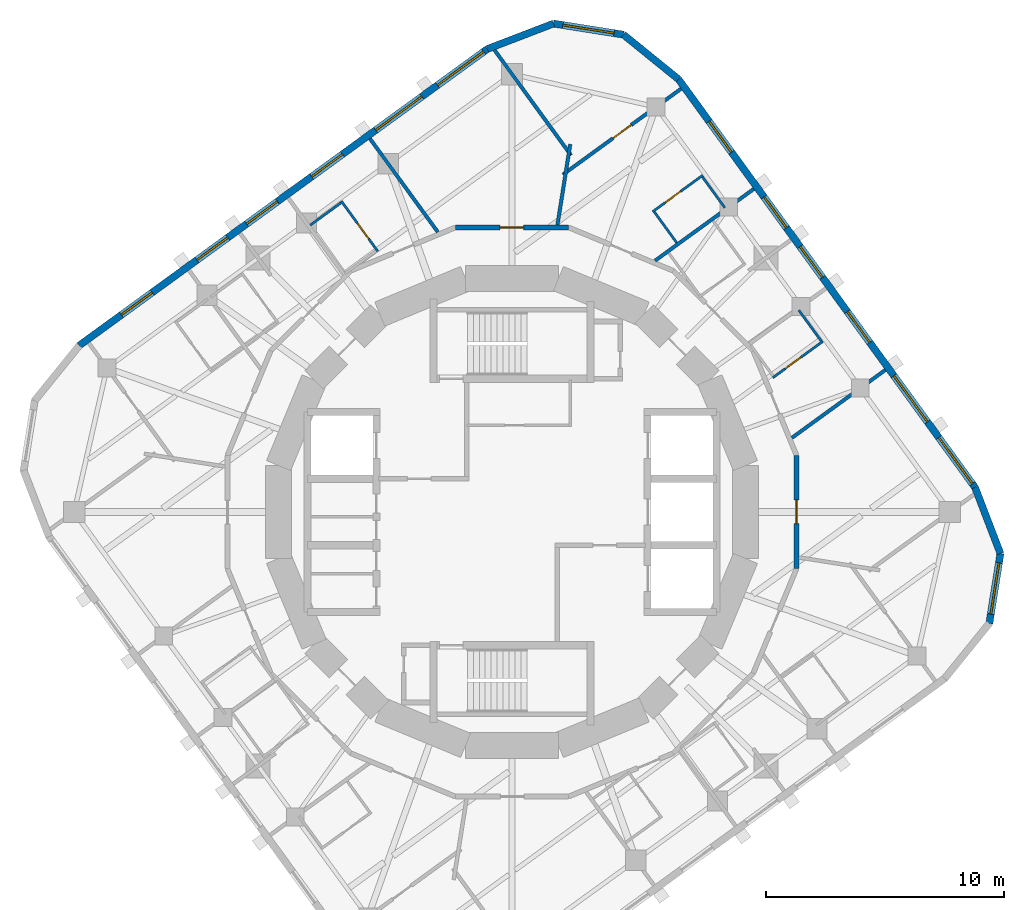
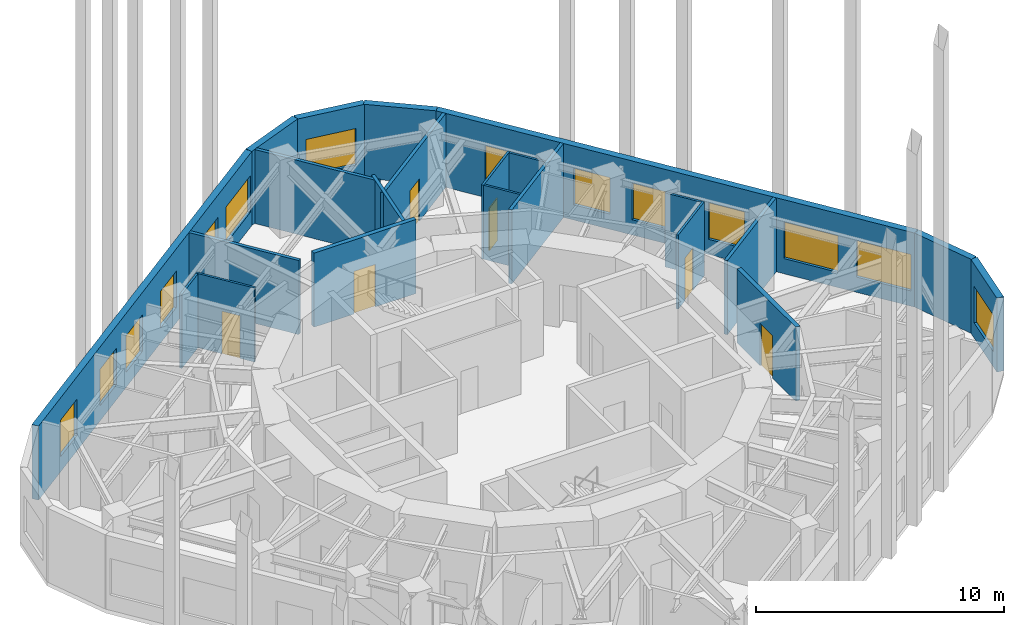
# One storey, part 7 of 9: 22 walls, 14 windows, 6 doors, 20 openings.
"""IFC4 building model written with IfcOpenShell, lengths in metres."""

from ifc_helpers import new_model, si_unit, direction, frame, frame_2d, origin, place, context, subcontext, project, spatial, rectangle, extrude, material, layer, layer_set, type_object, element, fill, save


model = new_model("IFC4")

# Units and contexts
model_context = context("Model", 3, precision=1e-05, world=origin(), true_north=direction((0.0, 1.0)))
body_context = subcontext(model_context, "Body", "Model", "MODEL_VIEW")
ifc_project = project(units=[si_unit("LENGTHUNIT", "METRE"), si_unit("AREAUNIT", "SQUARE_METRE"), si_unit("VOLUMEUNIT", "CUBIC_METRE"), si_unit("PLANEANGLEUNIT", "RADIAN"), si_unit("MASSUNIT", "GRAM", prefix="KILO")], contexts=[model_context])

# Site, building, storey
site_placement = place(None, origin())
site = spatial("IfcSite", under=ifc_project, at=site_placement, CompositionType="ELEMENT")
building_placement = place(site_placement, origin())
building = spatial("IfcBuilding", under=site, at=building_placement, Name="Nakasero Lantern House", CompositionType="ELEMENT")
storey_placement = place(building_placement, frame((0.0, 0.0, 263.75)))
storey = spatial("IfcBuildingStorey", under=building, at=storey_placement, Name="L64", CompositionType="ELEMENT", Elevation=263.75)

# Wall, opening, door
ifc_material_1 = material(Name="Blockwork", Category="masonry")
ifc_layer_1 = layer(ifc_material_1, 0.199951171875)
ifc_layer_set_1 = layer_set([ifc_layer_1], Name="Corridor wall 200")
wall_type_1 = type_object("IfcWallType", Name="Corridor wall 200", PredefinedType="PARTITIONING", material=ifc_layer_set_1)
wall_1_placement = place(storey_placement, frame((11.957763671875, 2.378662109375, 0.0), z_axis=(0.0, 0.0, 1.0), x_axis=(0.0, -1.0, 0.0)))
wall_1 = element("IfcWall", 1, at=wall_1_placement, inside=storey, type_object=wall_type_1, Name="Corridor wall L64 RC00a", PredefinedType="PARTITIONING", context=body_context, shape_type="SweptSolid", body=[
    extrude(rectangle(XDim=4.75732421875, YDim=0.199951171875, at=frame_2d((2.378662109375, 0.0))), origin(), (0.0, 0.0, 1.0), 3.64990234375),
])
opening_1_placement = place(wall_1_placement, frame((1.8701171875, 0.0, 0.0)))
opening_1 = element("IfcOpeningElement", 2, at=opening_1_placement, cuts=wall_1, Name="Opening D03", PredefinedType="OPENING", context=body_context, shape_type="SweptSolid", body=[
    extrude(rectangle(XDim=1.0, YDim=2.10009765625, at=frame_2d((0.5, 1.050048828125))), frame((0.0, 0.119873046875, 0.0), z_axis=(0.0, -1.0, 0.0), x_axis=(1.0, 0.0, 0.0)), (0.0, 0.0, 1.0), 0.239990234375),
])
ifc_material_2 = material(Name="Timber C24", Category="wood")
door_type_1 = type_object("IfcDoorType", Name="Lounge door FD30S 1000", OperationType="SINGLE_SWING_LEFT", PredefinedType="DOOR", material=ifc_material_2)
door_1_placement = place(opening_1_placement, origin())
door_1 = element("IfcDoor", 3, at=door_1_placement, inside=storey, type_object=door_type_1, Name="Door L64 DK0", OperationType="SINGLE_SWING_LEFT", OverallHeight=2.10009765625, OverallWidth=1.0, PredefinedType="DOOR", context=body_context, shape_type="SweptSolid", body=[
    extrude(rectangle(XDim=1.0, YDim=2.10009765625, at=frame_2d((0.5, 1.050048828125))), frame((0.0, 0.02490234375, 0.0), z_axis=(0.0, -1.0, 0.0), x_axis=(1.0, 0.0, 0.0)), (0.0, 0.0, 1.0), 0.050048828125),
])
fill(opening_1, door_1)

wall_2_placement = place(storey_placement, frame((-2.378662109375, 11.957763671875, 0.0), z_axis=(0.0, 0.0, 1.0), x_axis=(1.0, 0.0, 0.0)))
wall_2 = element("IfcWall", 4, at=wall_2_placement, inside=storey, type_object=wall_type_1, Name="Corridor wall L64 RC12a", PredefinedType="PARTITIONING", context=body_context, shape_type="SweptSolid", body=[
    extrude(rectangle(XDim=4.75732421875, YDim=0.199951171875, at=frame_2d((2.378662109375, 0.0))), origin(), (0.0, 0.0, 1.0), 3.64990234375),
])
opening_2_placement = place(wall_2_placement, frame((1.8701171875, 0.0, 0.0)))
opening_2 = element("IfcOpeningElement", 5, at=opening_2_placement, cuts=wall_2, Name="Opening D03", PredefinedType="OPENING", context=body_context, shape_type="SweptSolid", body=[
    extrude(rectangle(XDim=1.0, YDim=2.10009765625, at=frame_2d((0.5, 1.050048828125))), frame((0.0, 0.119873046875, 0.0), z_axis=(0.0, -1.0, 0.0), x_axis=(1.0, 0.0, 0.0)), (0.0, 0.0, 1.0), 0.239990234375),
])
door_2_placement = place(opening_2_placement, origin())
door_2 = element("IfcDoor", 6, at=door_2_placement, inside=storey, type_object=door_type_1, Name="Door L64 DK1", OperationType="SINGLE_SWING_LEFT", OverallHeight=2.10009765625, OverallWidth=1.0, PredefinedType="DOOR", context=body_context, shape_type="SweptSolid", body=[
    extrude(rectangle(XDim=1.0, YDim=2.10009765625, at=frame_2d((0.5, 1.050048828125))), frame((0.0, 0.02490234375, 0.0), z_axis=(0.0, -1.0, 0.0), x_axis=(1.0, 0.0, 0.0)), (0.0, 0.0, 1.0), 0.050048828125),
])
fill(opening_2, door_2)

ifc_material_3 = material(Name="Blockwork", Category="masonry")
ifc_layer_2 = layer(ifc_material_3, 0.10009765625)
ifc_layer_set_2 = layer_set([ifc_layer_2], Name="En-suite wall 100")
wall_type_2 = type_object("IfcWallType", Name="En-suite wall 100", PredefinedType="PARTITIONING", material=ifc_layer_set_2)
wall_3_placement = place(storey_placement, frame((10.960693359375, 5.643798828125, 0.0), z_axis=(0.0, 0.0, 1.0), x_axis=(0.80902431253, 0.587775179585, 0.0)))
wall_3 = element("IfcWall", 7, at=wall_3_placement, inside=storey, type_object=wall_type_2, Name="En-suite wall L64 ES0-03", PredefinedType="PARTITIONING", context=body_context, shape_type="SweptSolid", body=[
    extrude(rectangle(XDim=2.599853515625, YDim=0.10009765625, at=frame_2d((1.2998046875, 0.0))), origin(), (0.0, 0.0, 1.0), 3.64990234375),
])
opening_3_placement = place(wall_3_placement, frame((0.64990234375, 0.0, 0.0)))
opening_3 = element("IfcOpeningElement", 8, at=opening_3_placement, cuts=wall_3, Name="Opening D02", PredefinedType="OPENING", context=body_context, shape_type="SweptSolid", body=[
    extrude(rectangle(XDim=0.800048828125, YDim=2.10009765625, at=frame_2d((0.39990234375, 1.050048828125))), frame((0.0, 0.070068359375, 0.0), z_axis=(0.0, -1.0, 0.0), x_axis=(1.0, 0.0, 0.0)), (0.0, 0.0, 1.0), 0.14013671875),
])
ifc_material_4 = material(Name="Timber C24", Category="wood")
door_type_2 = type_object("IfcDoorType", Name="En-suite door 800", OperationType="SINGLE_SWING_RIGHT", PredefinedType="DOOR", material=ifc_material_4)
door_3_placement = place(opening_3_placement, origin())
door_3 = element("IfcDoor", 9, at=door_3_placement, inside=storey, type_object=door_type_2, Name="Door L64 DE0-03", OperationType="SINGLE_SWING_LEFT", OverallHeight=2.10009765625, OverallWidth=0.800048828125, PredefinedType="DOOR", context=body_context, shape_type="SweptSolid", body=[
    extrude(rectangle(XDim=0.800048828125, YDim=2.10009765625, at=frame_2d((0.39990234375, 1.050048828125))), frame((0.0, 0.02490234375, 0.0), z_axis=(0.0, -1.0, 0.0), x_axis=(1.0, 0.0, 0.0)), (0.0, 0.0, 1.0), 0.050048828125),
])
fill(opening_3, door_3)

# Wall
wall_4_placement = place(storey_placement, frame((12.994140625, 7.18310546875, 0.0), z_axis=(0.0, 0.0, 1.0), x_axis=(-0.587772420479, 0.809026317077, 0.0)))
element("IfcWall", 10, at=wall_4_placement, inside=storey, type_object=wall_type_2, Name="En-suite wall L64 EE0-03", PredefinedType="PARTITIONING", context=body_context, shape_type="SweptSolid", body=[
    extrude(rectangle(XDim=1.60009765625, YDim=0.10009765625, at=frame_2d((0.800048828125, 0.0))), origin(), (0.0, 0.0, 1.0), 3.64990234375),
])

# Wall, opening, door
wall_5_placement = place(storey_placement, frame((5.91162109375, 12.619384765625, 0.0), z_axis=(0.0, 0.0, 1.0), x_axis=(0.809056752413, 0.587730526155, 0.0)))
wall_5 = element("IfcWall", 11, at=wall_5_placement, inside=storey, type_object=wall_type_2, Name="En-suite wall L64 ES0-06", PredefinedType="PARTITIONING", context=body_context, shape_type="SweptSolid", body=[
    extrude(rectangle(XDim=2.599853515625, YDim=0.10009765625, at=frame_2d((1.2998046875, 0.0))), origin(), (0.0, 0.0, 1.0), 3.64990234375),
])
opening_4_placement = place(wall_5_placement, frame((0.64990234375, 0.0, 0.0)))
opening_4 = element("IfcOpeningElement", 12, at=opening_4_placement, cuts=wall_5, Name="Opening D02", PredefinedType="OPENING", context=body_context, shape_type="SweptSolid", body=[
    extrude(rectangle(XDim=0.800048828125, YDim=2.10009765625, at=frame_2d((0.39990234375, 1.050048828125))), frame((0.0, 0.070068359375, 0.0), z_axis=(0.0, -1.0, 0.0), x_axis=(1.0, 0.0, 0.0)), (0.0, 0.0, 1.0), 0.14013671875),
])
door_4_placement = place(opening_4_placement, origin())
door_4 = element("IfcDoor", 13, at=door_4_placement, inside=storey, type_object=door_type_2, Name="Door L64 DE0-06", OperationType="SINGLE_SWING_LEFT", OverallHeight=2.10009765625, OverallWidth=0.800048828125, PredefinedType="DOOR", context=body_context, shape_type="SweptSolid", body=[
    extrude(rectangle(XDim=0.800048828125, YDim=2.10009765625, at=frame_2d((0.39990234375, 1.050048828125))), frame((0.0, 0.02490234375, 0.0), z_axis=(0.0, -1.0, 0.0), x_axis=(1.0, 0.0, 0.0)), (0.0, 0.0, 1.0), 0.050048828125),
])
fill(opening_4, door_4)

# Walls
for number, where, z_axis, x_axis, name in (
    (14, (8.9443359375, 12.783203125, 0.0), (0.0, 0.0, 1.0), (-0.587772420479, 0.809026317077, 0.0), "En-suite wall L64 EE0-06"),
    (15, (6.921875, 11.313720703125, 0.0), (0.0, 0.0, 1.0), (-0.587772420479, 0.809026317077, 0.0), "En-suite wall L64 EI0-06"),
):
    element("IfcWall", number, at=place(storey_placement, frame(where, z_axis=z_axis, x_axis=x_axis)), inside=storey, type_object=wall_type_2, Name=name, PredefinedType="PARTITIONING", context=body_context, shape_type="SweptSolid", body=[
        extrude(rectangle(XDim=1.60009765625, YDim=0.10009765625, at=frame_2d((0.800048828125, 0.0))), origin(), (0.0, 0.0, 1.0), 3.64990234375),
    ])

# Wall, opening, door
wall_6_placement = place(storey_placement, frame((-5.643798828125, 10.960693359375, 0.0), z_axis=(0.0, 0.0, 1.0), x_axis=(-0.587775179585, 0.80902431253, 0.0)))
wall_6 = element("IfcWall", 16, at=wall_6_placement, inside=storey, type_object=wall_type_2, Name="En-suite wall L64 ES1-03", PredefinedType="PARTITIONING", context=body_context, shape_type="SweptSolid", body=[
    extrude(rectangle(XDim=2.599853515625, YDim=0.10009765625, at=frame_2d((1.2998046875, 0.0))), origin(), (0.0, 0.0, 1.0), 3.64990234375),
])
opening_5_placement = place(wall_6_placement, frame((0.64990234375, 0.0, 0.0)))
opening_5 = element("IfcOpeningElement", 17, at=opening_5_placement, cuts=wall_6, Name="Opening D02", PredefinedType="OPENING", context=body_context, shape_type="SweptSolid", body=[
    extrude(rectangle(XDim=0.800048828125, YDim=2.10009765625, at=frame_2d((0.39990234375, 1.050048828125))), frame((0.0, 0.070068359375, 0.0), z_axis=(0.0, -1.0, 0.0), x_axis=(1.0, 0.0, 0.0)), (0.0, 0.0, 1.0), 0.14013671875),
])
door_5_placement = place(opening_5_placement, origin())
door_5 = element("IfcDoor", 18, at=door_5_placement, inside=storey, type_object=door_type_2, Name="Door L64 DE1-03", OperationType="SINGLE_SWING_LEFT", OverallHeight=2.10009765625, OverallWidth=0.800048828125, PredefinedType="DOOR", context=body_context, shape_type="SweptSolid", body=[
    extrude(rectangle(XDim=0.800048828125, YDim=2.10009765625, at=frame_2d((0.39990234375, 1.050048828125))), frame((0.0, 0.02490234375, 0.0), z_axis=(0.0, -1.0, 0.0), x_axis=(1.0, 0.0, 0.0)), (0.0, 0.0, 1.0), 0.050048828125),
])
fill(opening_5, door_5)

# Wall
wall_7_placement = place(storey_placement, frame((-7.18310546875, 12.994140625, 0.0), z_axis=(0.0, 0.0, 1.0), x_axis=(-0.809026317077, -0.587772420479, 0.0)))
element("IfcWall", 19, at=wall_7_placement, inside=storey, type_object=wall_type_2, Name="En-suite wall L64 EE1-03", PredefinedType="PARTITIONING", context=body_context, shape_type="SweptSolid", body=[
    extrude(rectangle(XDim=1.60009765625, YDim=0.10009765625, at=frame_2d((0.800048828125, 0.0))), origin(), (0.0, 0.0, 1.0), 3.64990234375),
])

# Wall, openings, windows
ifc_material_5 = material(Name="Aluminium rainscreen on blockwork", Category="masonry")
ifc_layer_3 = layer(ifc_material_5, 0.300048828125)
ifc_layer_set_3 = layer_set([ifc_layer_3], Name="Facade wall 300")
wall_type_3 = type_object("IfcWallType", Name="Facade wall 300", PredefinedType="SOLIDWALL", material=ifc_layer_set_3)
wall_8_placement = place(storey_placement, frame((19.4580078125, 1.03466796875, 0.0), z_axis=(0.0, 0.0, 1.0), x_axis=(-0.587790233451, 0.809013375328, 0.0)))
wall_8 = element("IfcWall", 20, at=wall_8_placement, inside=storey, type_object=wall_type_3, Name="Facade wall L64 FW0S", PredefinedType="SOLIDWALL", context=body_context, shape_type="SweptSolid", body=[
    extrude(rectangle(XDim=21.199951171875, YDim=0.300048828125, at=frame_2d((10.60009765625, 0.0))), origin(), (0.0, 0.0, 1.0), 3.64990234375),
])
opening_6_placement = place(wall_8_placement, frame((7.52783203125, 0.0, 0.75)))
opening_6 = element("IfcOpeningElement", 21, at=opening_6_placement, cuts=wall_8, Name="Opening W01", PredefinedType="OPENING", context=body_context, shape_type="SweptSolid", body=[
    extrude(rectangle(XDim=1.60009765625, YDim=1.800048828125, at=frame_2d((0.800048828125, 0.89990234375))), frame((0.0, 0.169921875, 0.0), z_axis=(0.0, -1.0, 0.0), x_axis=(1.0, 0.0, 0.0)), (0.0, 0.0, 1.0), 0.340087890625),
])
opening_7_placement = place(wall_8_placement, frame((10.904052734375, 0.0, 0.75)))
opening_7 = element("IfcOpeningElement", 22, at=opening_7_placement, cuts=wall_8, Name="Opening W01", PredefinedType="OPENING", context=body_context, shape_type="SweptSolid", body=[
    extrude(rectangle(XDim=1.60009765625, YDim=1.800048828125, at=frame_2d((0.800048828125, 0.89990234375))), frame((0.0, 0.169921875, 0.0), z_axis=(0.0, -1.0, 0.0), x_axis=(1.0, 0.0, 0.0)), (0.0, 0.0, 1.0), 0.340087890625),
])
opening_8_placement = place(wall_8_placement, frame((13.484619140625, 0.0, 0.75)))
opening_8 = element("IfcOpeningElement", 23, at=opening_8_placement, cuts=wall_8, Name="Opening W01", PredefinedType="OPENING", context=body_context, shape_type="SweptSolid", body=[
    extrude(rectangle(XDim=1.60009765625, YDim=1.800048828125, at=frame_2d((0.800048828125, 0.89990234375))), frame((0.0, 0.169921875, 0.0), z_axis=(0.0, -1.0, 0.0), x_axis=(1.0, 0.0, 0.0)), (0.0, 0.0, 1.0), 0.340087890625),
])
opening_9_placement = place(wall_8_placement, frame((17.410888671875, 0.0, 0.75)))
opening_9 = element("IfcOpeningElement", 24, at=opening_9_placement, cuts=wall_8, Name="Opening W01", PredefinedType="OPENING", context=body_context, shape_type="SweptSolid", body=[
    extrude(rectangle(XDim=1.60009765625, YDim=1.800048828125, at=frame_2d((0.800048828125, 0.89990234375))), frame((0.0, 0.169921875, 0.0), z_axis=(0.0, -1.0, 0.0), x_axis=(1.0, 0.0, 0.0)), (0.0, 0.0, 1.0), 0.340087890625),
])
opening_10_placement = place(wall_8_placement, frame((0.1904296875, 0.0, 0.75)))
opening_10 = element("IfcOpeningElement", 25, at=opening_10_placement, cuts=wall_8, Name="Opening W03", PredefinedType="OPENING", context=body_context, shape_type="SweptSolid", body=[
    extrude(rectangle(XDim=2.39990234375, YDim=1.800048828125, at=frame_2d((1.199951171875, 0.89990234375))), frame((0.0, 0.169921875, 0.0), z_axis=(0.0, -1.0, 0.0), x_axis=(1.0, 0.0, 0.0)), (0.0, 0.0, 1.0), 0.340087890625),
])
opening_11_placement = place(wall_8_placement, frame((3.401611328125, 0.0, 0.75)))
opening_11 = element("IfcOpeningElement", 26, at=opening_11_placement, cuts=wall_8, Name="Opening W03", PredefinedType="OPENING", context=body_context, shape_type="SweptSolid", body=[
    extrude(rectangle(XDim=2.39990234375, YDim=1.800048828125, at=frame_2d((1.199951171875, 0.89990234375))), frame((0.0, 0.169921875, 0.0), z_axis=(0.0, -1.0, 0.0), x_axis=(1.0, 0.0, 0.0)), (0.0, 0.0, 1.0), 0.340087890625),
])
ifc_material_6 = material(Name="Aluminium 6063-T6 and glass", Category="aluminium")
window_type_1 = type_object("IfcWindowType", Name="Bedroom window 1600x1800", PartitioningType="SINGLE_PANEL", PredefinedType="WINDOW", material=ifc_material_6)
window_1_placement = place(opening_6_placement, origin())
window_1 = element("IfcWindow", 27, at=window_1_placement, inside=storey, type_object=window_type_1, Name="Window L64 WN0-03", OverallHeight=1.800048828125, OverallWidth=1.60009765625, PartitioningType="SINGLE_PANEL", PredefinedType="WINDOW", context=body_context, shape_type="SweptSolid", body=[
    extrude(rectangle(XDim=1.60009765625, YDim=1.800048828125, at=frame_2d((0.800048828125, 0.89990234375))), frame((0.0, 0.030029296875, 0.0), z_axis=(0.0, -1.0, 0.0), x_axis=(1.0, 0.0, 0.0)), (0.0, 0.0, 1.0), 0.06005859375),
])
fill(opening_6, window_1)
window_2_placement = place(opening_7_placement, origin())
window_2 = element("IfcWindow", 28, at=window_2_placement, inside=storey, type_object=window_type_1, Name="Window L64 WN0-04", OverallHeight=1.800048828125, OverallWidth=1.60009765625, PartitioningType="SINGLE_PANEL", PredefinedType="WINDOW", context=body_context, shape_type="SweptSolid", body=[
    extrude(rectangle(XDim=1.60009765625, YDim=1.800048828125, at=frame_2d((0.800048828125, 0.89990234375))), frame((0.0, 0.030029296875, 0.0), z_axis=(0.0, -1.0, 0.0), x_axis=(1.0, 0.0, 0.0)), (0.0, 0.0, 1.0), 0.06005859375),
])
fill(opening_7, window_2)
window_3_placement = place(opening_8_placement, origin())
window_3 = element("IfcWindow", 29, at=window_3_placement, inside=storey, type_object=window_type_1, Name="Window L64 WN0-05", OverallHeight=1.800048828125, OverallWidth=1.60009765625, PartitioningType="SINGLE_PANEL", PredefinedType="WINDOW", context=body_context, shape_type="SweptSolid", body=[
    extrude(rectangle(XDim=1.60009765625, YDim=1.800048828125, at=frame_2d((0.800048828125, 0.89990234375))), frame((0.0, 0.030029296875, 0.0), z_axis=(0.0, -1.0, 0.0), x_axis=(1.0, 0.0, 0.0)), (0.0, 0.0, 1.0), 0.06005859375),
])
fill(opening_8, window_3)
window_4_placement = place(opening_9_placement, origin())
window_4 = element("IfcWindow", 30, at=window_4_placement, inside=storey, type_object=window_type_1, Name="Window L64 WN0-06", OverallHeight=1.800048828125, OverallWidth=1.60009765625, PartitioningType="SINGLE_PANEL", PredefinedType="WINDOW", context=body_context, shape_type="SweptSolid", body=[
    extrude(rectangle(XDim=1.60009765625, YDim=1.800048828125, at=frame_2d((0.800048828125, 0.89990234375))), frame((0.0, 0.030029296875, 0.0), z_axis=(0.0, -1.0, 0.0), x_axis=(1.0, 0.0, 0.0)), (0.0, 0.0, 1.0), 0.06005859375),
])
fill(opening_9, window_4)
ifc_material_7 = material(Name="Aluminium 6063-T6 and glass", Category="aluminium")
window_type_2 = type_object("IfcWindowType", Name="Lounge window 2400x1800", PartitioningType="SINGLE_PANEL", PredefinedType="WINDOW", material=ifc_material_7)
window_5_placement = place(opening_10_placement, origin())
window_5 = element("IfcWindow", 31, at=window_5_placement, inside=storey, type_object=window_type_2, Name="Window L64 WK0", OverallHeight=1.800048828125, OverallWidth=2.39990234375, PartitioningType="SINGLE_PANEL", PredefinedType="WINDOW", context=body_context, shape_type="SweptSolid", body=[
    extrude(rectangle(XDim=2.39990234375, YDim=1.800048828125, at=frame_2d((1.199951171875, 0.89990234375))), frame((0.0, 0.030029296875, 0.0), z_axis=(0.0, -1.0, 0.0), x_axis=(1.0, 0.0, 0.0)), (0.0, 0.0, 1.0), 0.06005859375),
])
fill(opening_10, window_5)
window_6_placement = place(opening_11_placement, origin())
window_6 = element("IfcWindow", 32, at=window_6_placement, inside=storey, type_object=window_type_2, Name="Window L64 WL0", OverallHeight=1.800048828125, OverallWidth=2.39990234375, PartitioningType="SINGLE_PANEL", PredefinedType="WINDOW", context=body_context, shape_type="SweptSolid", body=[
    extrude(rectangle(XDim=2.39990234375, YDim=1.800048828125, at=frame_2d((1.199951171875, 0.89990234375))), frame((0.0, 0.030029296875, 0.0), z_axis=(0.0, -1.0, 0.0), x_axis=(1.0, 0.0, 0.0)), (0.0, 0.0, 1.0), 0.06005859375),
])
fill(opening_11, window_6)

# Wall
wall_9_placement = place(storey_placement, frame((6.996826171875, 18.185791015625, 0.0), z_axis=(0.0, 0.0, 1.0), x_axis=(-0.777101588319, 0.629375183362, 0.0)))
element("IfcWall", 33, at=wall_9_placement, inside=storey, type_object=wall_type_3, Name="Facade wall L64 FW0C1", PredefinedType="SOLIDWALL", context=body_context, shape_type="SweptSolid", body=[
    extrude(rectangle(XDim=2.976318359375, YDim=0.300048828125, at=frame_2d((1.48828125, 0.0))), origin(), (0.0, 0.0, 1.0), 3.64990234375),
])

# Wall, opening, window
wall_10_placement = place(storey_placement, frame((4.683837890625, 20.05908203125, 0.0), z_axis=(0.0, 0.0, 1.0), x_axis=(-0.987691704133, 0.156413227021, 0.0)))
wall_10 = element("IfcWall", 34, at=wall_10_placement, inside=storey, type_object=wall_type_3, Name="Facade wall L64 FW0C2", PredefinedType="SOLIDWALL", context=body_context, shape_type="SweptSolid", body=[
    extrude(rectangle(XDim=2.9765625, YDim=0.300048828125, at=frame_2d((1.48828125, 0.0))), origin(), (0.0, 0.0, 1.0), 3.64990234375),
])
opening_12_placement = place(wall_10_placement, frame((0.39990234375, 0.0, 0.75)))
opening_12 = element("IfcOpeningElement", 35, at=opening_12_placement, cuts=wall_10, Name="Opening W221", PredefinedType="OPENING", context=body_context, shape_type="SweptSolid", body=[
    extrude(rectangle(XDim=2.176025390625, YDim=1.800048828125, at=frame_2d((1.087890625, 0.89990234375))), frame((0.0, 0.169921875, 0.0), z_axis=(0.0, -1.0, 0.0), x_axis=(1.0, 0.0, 0.0)), (0.0, 0.0, 1.0), 0.340087890625),
])
ifc_material_8 = material(Name="Aluminium 6063-T6 and glass", Category="aluminium")
window_type_3 = type_object("IfcWindowType", Name="Corner window 2176x1800", PartitioningType="SINGLE_PANEL", PredefinedType="WINDOW", material=ifc_material_8)
window_7_placement = place(opening_12_placement, origin())
window_7 = element("IfcWindow", 36, at=window_7_placement, inside=storey, type_object=window_type_3, Name="Window L64 WC0", OverallHeight=1.800048828125, OverallWidth=2.176025390625, PartitioningType="SINGLE_PANEL", PredefinedType="WINDOW", context=body_context, shape_type="SweptSolid", body=[
    extrude(rectangle(XDim=2.176025390625, YDim=1.800048828125, at=frame_2d((1.087890625, 0.89990234375))), frame((0.0, 0.030029296875, 0.0), z_axis=(0.0, -1.0, 0.0), x_axis=(1.0, 0.0, 0.0)), (0.0, 0.0, 1.0), 0.06005859375),
])
fill(opening_12, window_7)

# Wall
wall_11_placement = place(storey_placement, frame((1.743896484375, 20.524658203125, 0.0), z_axis=(0.0, 0.0, 1.0), x_axis=(-0.933573745966, -0.35838535244, 0.0)))
element("IfcWall", 37, at=wall_11_placement, inside=storey, type_object=wall_type_3, Name="Facade wall L64 FW0C3", PredefinedType="SOLIDWALL", context=body_context, shape_type="SweptSolid", body=[
    extrude(rectangle(XDim=2.976318359375, YDim=0.300048828125, at=frame_2d((1.48828125, 0.0))), origin(), (0.0, 0.0, 1.0), 3.64990234375),
])

# Wall, openings, windows
wall_12_placement = place(storey_placement, frame((-1.03466796875, 19.4580078125, 0.0), z_axis=(0.0, 0.0, 1.0), x_axis=(-0.809013375328, -0.587790233451, 0.0)))
wall_12 = element("IfcWall", 38, at=wall_12_placement, inside=storey, type_object=wall_type_3, Name="Facade wall L64 FW1S", PredefinedType="SOLIDWALL", context=body_context, shape_type="SweptSolid", body=[
    extrude(rectangle(XDim=21.199951171875, YDim=0.300048828125, at=frame_2d((10.60009765625, 0.0))), origin(), (0.0, 0.0, 1.0), 3.64990234375),
])
opening_13_placement = place(wall_12_placement, frame((7.52783203125, 0.0, 0.75)))
opening_13 = element("IfcOpeningElement", 39, at=opening_13_placement, cuts=wall_12, Name="Opening W01", PredefinedType="OPENING", context=body_context, shape_type="SweptSolid", body=[
    extrude(rectangle(XDim=1.60009765625, YDim=1.800048828125, at=frame_2d((0.800048828125, 0.89990234375))), frame((0.0, 0.169921875, 0.0), z_axis=(0.0, -1.0, 0.0), x_axis=(1.0, 0.0, 0.0)), (0.0, 0.0, 1.0), 0.340087890625),
])
opening_14_placement = place(wall_12_placement, frame((10.904052734375, 0.0, 0.75)))
opening_14 = element("IfcOpeningElement", 40, at=opening_14_placement, cuts=wall_12, Name="Opening W01", PredefinedType="OPENING", context=body_context, shape_type="SweptSolid", body=[
    extrude(rectangle(XDim=1.60009765625, YDim=1.800048828125, at=frame_2d((0.800048828125, 0.89990234375))), frame((0.0, 0.169921875, 0.0), z_axis=(0.0, -1.0, 0.0), x_axis=(1.0, 0.0, 0.0)), (0.0, 0.0, 1.0), 0.340087890625),
])
opening_15_placement = place(wall_12_placement, frame((13.484619140625, 0.0, 0.75)))
opening_15 = element("IfcOpeningElement", 41, at=opening_15_placement, cuts=wall_12, Name="Opening W01", PredefinedType="OPENING", context=body_context, shape_type="SweptSolid", body=[
    extrude(rectangle(XDim=1.60009765625, YDim=1.800048828125, at=frame_2d((0.800048828125, 0.89990234375))), frame((0.0, 0.169921875, 0.0), z_axis=(0.0, -1.0, 0.0), x_axis=(1.0, 0.0, 0.0)), (0.0, 0.0, 1.0), 0.340087890625),
])
opening_16_placement = place(wall_12_placement, frame((17.410888671875, 0.0, 0.75)))
opening_16 = element("IfcOpeningElement", 42, at=opening_16_placement, cuts=wall_12, Name="Opening W01", PredefinedType="OPENING", context=body_context, shape_type="SweptSolid", body=[
    extrude(rectangle(XDim=1.60009765625, YDim=1.800048828125, at=frame_2d((0.800048828125, 0.89990234375))), frame((0.0, 0.169921875, 0.0), z_axis=(0.0, -1.0, 0.0), x_axis=(1.0, 0.0, 0.0)), (0.0, 0.0, 1.0), 0.340087890625),
])
opening_17_placement = place(wall_12_placement, frame((0.1904296875, 0.0, 0.75)))
opening_17 = element("IfcOpeningElement", 43, at=opening_17_placement, cuts=wall_12, Name="Opening W03", PredefinedType="OPENING", context=body_context, shape_type="SweptSolid", body=[
    extrude(rectangle(XDim=2.39990234375, YDim=1.800048828125, at=frame_2d((1.199951171875, 0.89990234375))), frame((0.0, 0.169921875, 0.0), z_axis=(0.0, -1.0, 0.0), x_axis=(1.0, 0.0, 0.0)), (0.0, 0.0, 1.0), 0.340087890625),
])
opening_18_placement = place(wall_12_placement, frame((3.401611328125, 0.0, 0.75)))
opening_18 = element("IfcOpeningElement", 44, at=opening_18_placement, cuts=wall_12, Name="Opening W03", PredefinedType="OPENING", context=body_context, shape_type="SweptSolid", body=[
    extrude(rectangle(XDim=2.39990234375, YDim=1.800048828125, at=frame_2d((1.199951171875, 0.89990234375))), frame((0.0, 0.169921875, 0.0), z_axis=(0.0, -1.0, 0.0), x_axis=(1.0, 0.0, 0.0)), (0.0, 0.0, 1.0), 0.340087890625),
])
window_8_placement = place(opening_13_placement, origin())
window_8 = element("IfcWindow", 45, at=window_8_placement, inside=storey, type_object=window_type_1, Name="Window L64 WN1-03", OverallHeight=1.800048828125, OverallWidth=1.60009765625, PartitioningType="SINGLE_PANEL", PredefinedType="WINDOW", context=body_context, shape_type="SweptSolid", body=[
    extrude(rectangle(XDim=1.60009765625, YDim=1.800048828125, at=frame_2d((0.800048828125, 0.89990234375))), frame((0.0, 0.030029296875, 0.0), z_axis=(0.0, -1.0, 0.0), x_axis=(1.0, 0.0, 0.0)), (0.0, 0.0, 1.0), 0.06005859375),
])
fill(opening_13, window_8)
window_9_placement = place(opening_14_placement, origin())
window_9 = element("IfcWindow", 46, at=window_9_placement, inside=storey, type_object=window_type_1, Name="Window L64 WN1-04", OverallHeight=1.800048828125, OverallWidth=1.60009765625, PartitioningType="SINGLE_PANEL", PredefinedType="WINDOW", context=body_context, shape_type="SweptSolid", body=[
    extrude(rectangle(XDim=1.60009765625, YDim=1.800048828125, at=frame_2d((0.800048828125, 0.89990234375))), frame((0.0, 0.030029296875, 0.0), z_axis=(0.0, -1.0, 0.0), x_axis=(1.0, 0.0, 0.0)), (0.0, 0.0, 1.0), 0.06005859375),
])
fill(opening_14, window_9)
window_10_placement = place(opening_15_placement, origin())
window_10 = element("IfcWindow", 47, at=window_10_placement, inside=storey, type_object=window_type_1, Name="Window L64 WN1-05", OverallHeight=1.800048828125, OverallWidth=1.60009765625, PartitioningType="SINGLE_PANEL", PredefinedType="WINDOW", context=body_context, shape_type="SweptSolid", body=[
    extrude(rectangle(XDim=1.60009765625, YDim=1.800048828125, at=frame_2d((0.800048828125, 0.89990234375))), frame((0.0, 0.030029296875, 0.0), z_axis=(0.0, -1.0, 0.0), x_axis=(1.0, 0.0, 0.0)), (0.0, 0.0, 1.0), 0.06005859375),
])
fill(opening_15, window_10)
window_11_placement = place(opening_16_placement, origin())
window_11 = element("IfcWindow", 48, at=window_11_placement, inside=storey, type_object=window_type_1, Name="Window L64 WN1-06", OverallHeight=1.800048828125, OverallWidth=1.60009765625, PartitioningType="SINGLE_PANEL", PredefinedType="WINDOW", context=body_context, shape_type="SweptSolid", body=[
    extrude(rectangle(XDim=1.60009765625, YDim=1.800048828125, at=frame_2d((0.800048828125, 0.89990234375))), frame((0.0, 0.030029296875, 0.0), z_axis=(0.0, -1.0, 0.0), x_axis=(1.0, 0.0, 0.0)), (0.0, 0.0, 1.0), 0.06005859375),
])
fill(opening_16, window_11)
window_12_placement = place(opening_17_placement, origin())
window_12 = element("IfcWindow", 49, at=window_12_placement, inside=storey, type_object=window_type_2, Name="Window L64 WK1", OverallHeight=1.800048828125, OverallWidth=2.39990234375, PartitioningType="SINGLE_PANEL", PredefinedType="WINDOW", context=body_context, shape_type="SweptSolid", body=[
    extrude(rectangle(XDim=2.39990234375, YDim=1.800048828125, at=frame_2d((1.199951171875, 0.89990234375))), frame((0.0, 0.030029296875, 0.0), z_axis=(0.0, -1.0, 0.0), x_axis=(1.0, 0.0, 0.0)), (0.0, 0.0, 1.0), 0.06005859375),
])
fill(opening_17, window_12)
window_13_placement = place(opening_18_placement, origin())
window_13 = element("IfcWindow", 50, at=window_13_placement, inside=storey, type_object=window_type_2, Name="Window L64 WL1", OverallHeight=1.800048828125, OverallWidth=2.39990234375, PartitioningType="SINGLE_PANEL", PredefinedType="WINDOW", context=body_context, shape_type="SweptSolid", body=[
    extrude(rectangle(XDim=2.39990234375, YDim=1.800048828125, at=frame_2d((1.199951171875, 0.89990234375))), frame((0.0, 0.030029296875, 0.0), z_axis=(0.0, -1.0, 0.0), x_axis=(1.0, 0.0, 0.0)), (0.0, 0.0, 1.0), 0.06005859375),
])
fill(opening_18, window_13)

# Wall, opening, window
wall_13_placement = place(storey_placement, frame((20.05908203125, -4.683837890625, 0.0), z_axis=(0.0, 0.0, 1.0), x_axis=(0.156413227021, 0.987691704133, 0.0)))
wall_13 = element("IfcWall", 51, at=wall_13_placement, inside=storey, type_object=wall_type_3, Name="Facade wall L64 FW3C2", PredefinedType="SOLIDWALL", context=body_context, shape_type="SweptSolid", body=[
    extrude(rectangle(XDim=2.9765625, YDim=0.300048828125, at=frame_2d((1.48828125, 0.0))), origin(), (0.0, 0.0, 1.0), 3.64990234375),
])
opening_19_placement = place(wall_13_placement, frame((0.39990234375, 0.0, 0.75)))
opening_19 = element("IfcOpeningElement", 52, at=opening_19_placement, cuts=wall_13, Name="Opening W221", PredefinedType="OPENING", context=body_context, shape_type="SweptSolid", body=[
    extrude(rectangle(XDim=2.176025390625, YDim=1.800048828125, at=frame_2d((1.087890625, 0.89990234375))), frame((0.0, 0.169921875, 0.0), z_axis=(0.0, -1.0, 0.0), x_axis=(1.0, 0.0, 0.0)), (0.0, 0.0, 1.0), 0.340087890625),
])
window_14_placement = place(opening_19_placement, origin())
window_14 = element("IfcWindow", 53, at=window_14_placement, inside=storey, type_object=window_type_3, Name="Window L64 WC3", OverallHeight=1.800048828125, OverallWidth=2.176025390625, PartitioningType="SINGLE_PANEL", PredefinedType="WINDOW", context=body_context, shape_type="SweptSolid", body=[
    extrude(rectangle(XDim=2.176025390625, YDim=1.800048828125, at=frame_2d((1.087890625, 0.89990234375))), frame((0.0, 0.030029296875, 0.0), z_axis=(0.0, -1.0, 0.0), x_axis=(1.0, 0.0, 0.0)), (0.0, 0.0, 1.0), 0.06005859375),
])
fill(opening_19, window_14)

# Walls
wall_14_placement = place(storey_placement, frame((20.524658203125, -1.743896484375, 0.0), z_axis=(0.0, 0.0, 1.0), x_axis=(-0.35838535244, 0.933573745966, 0.0)))
element("IfcWall", 54, at=wall_14_placement, inside=storey, type_object=wall_type_3, Name="Facade wall L64 FW3C3", PredefinedType="SOLIDWALL", context=body_context, shape_type="SweptSolid", body=[
    extrude(rectangle(XDim=2.976318359375, YDim=0.300048828125, at=frame_2d((1.48828125, 0.0))), origin(), (0.0, 0.0, 1.0), 3.64990234375),
])
ifc_material_9 = material(Name="Blockwork", Category="masonry")
ifc_layer_4 = layer(ifc_material_9, 0.14990234375)
ifc_layer_set_4 = layer_set([ifc_layer_4], Name="Party wall 150")
wall_type_4 = type_object("IfcWallType", Name="Party wall 150", PredefinedType="PARTITIONING", material=ifc_layer_set_4)
wall_15_placement = place(storey_placement, frame((11.760986328125, 3.114990234375, 0.0), z_axis=(0.0, 0.0, 1.0), x_axis=(0.809020895183, 0.587779883253, 0.0)))
element("IfcWall", 55, at=wall_15_placement, inside=storey, type_object=wall_type_4, Name="Party wall L64 PW0-03", PredefinedType="PARTITIONING", context=body_context, shape_type="SweptSolid", body=[
    extrude(rectangle(XDim=4.854248046875, YDim=0.14990234375, at=frame_2d((2.42724609375, 0.0))), origin(), (0.0, 0.0, 1.0), 3.64990234375),
])
wall_16_placement = place(storey_placement, frame((6.012939453125, 10.560791015625, 0.0), z_axis=(0.0, 0.0, 1.0), x_axis=(0.809020100005, 0.587780977736, 0.0)))
element("IfcWall", 56, at=wall_16_placement, inside=storey, type_object=wall_type_4, Name="Party wall L64 PW0-06", PredefinedType="PARTITIONING", context=body_context, shape_type="SweptSolid", body=[
    extrude(rectangle(XDim=5.1279296875, YDim=0.14990234375, at=frame_2d((2.56396484375, 0.0))), origin(), (0.0, 0.0, 1.0), 3.64990234375),
])

# Wall, opening, door
wall_17_placement = place(storey_placement, frame((2.137939453125, 14.1767578125, 0.0), z_axis=(0.0, 0.0, 1.0), x_axis=(0.809024975628, 0.587774266883, 0.0)))
wall_17 = element("IfcWall", 57, at=wall_17_placement, inside=storey, type_object=wall_type_4, Name="Party wall L64 PW0-07", PredefinedType="PARTITIONING", context=body_context, shape_type="SweptSolid", body=[
    extrude(rectangle(XDim=6.137451171875, YDim=0.14990234375, at=frame_2d((3.06884765625, 0.0))), origin(), (0.0, 0.0, 1.0), 3.64990234375),
])
opening_20_placement = place(wall_17_placement, frame((2.60009765625, 0.0, 0.0)))
opening_20 = element("IfcOpeningElement", 58, at=opening_20_placement, cuts=wall_17, Name="Opening D01", PredefinedType="OPENING", context=body_context, shape_type="SweptSolid", body=[
    extrude(rectangle(XDim=0.949951171875, YDim=2.10009765625, at=frame_2d((0.47509765625, 1.050048828125))), frame((0.0, 0.094970703125, 0.0), z_axis=(0.0, -1.0, 0.0), x_axis=(1.0, 0.0, 0.0)), (0.0, 0.0, 1.0), 0.18994140625),
])
ifc_material_10 = material(Name="Timber C24", Category="wood")
door_type_3 = type_object("IfcDoorType", Name="Bedroom door FD30S 950", OperationType="SINGLE_SWING_LEFT", PredefinedType="DOOR", material=ifc_material_10)
door_6_placement = place(opening_20_placement, origin())
door_6 = element("IfcDoor", 59, at=door_6_placement, inside=storey, type_object=door_type_3, Name="Door L64 DC0", OperationType="SINGLE_SWING_RIGHT", OverallHeight=2.10009765625, OverallWidth=0.949951171875, PredefinedType="DOOR", context=body_context, shape_type="SweptSolid", body=[
    extrude(rectangle(XDim=0.949951171875, YDim=2.10009765625, at=frame_2d((0.47509765625, 1.050048828125))), frame((0.0, 0.02490234375, 0.0), z_axis=(0.0, -1.0, 0.0), x_axis=(1.0, 0.0, 0.0)), (0.0, 0.0, 1.0), 0.050048828125),
])
fill(opening_20, door_6)

# Walls
wall_18_placement = place(storey_placement, frame((1.90966796875, 12.057861328125, 0.0), z_axis=(0.0, 0.0, 1.0), x_axis=(0.156465405864, 0.987683439553, 0.0)))
element("IfcWall", 60, at=wall_18_placement, inside=storey, type_object=wall_type_4, Name="Party wall L64 PD0", PredefinedType="PARTITIONING", context=body_context, shape_type="SweptSolid", body=[
    extrude(rectangle(XDim=3.440673828125, YDim=0.14990234375, at=frame_2d((1.72021484375, 0.0))), origin(), (0.0, 0.0, 1.0), 3.64990234375),
])
wall_19_placement = place(storey_placement, frame((2.48095703125, 14.9853515625, 0.0), z_axis=(0.0, 0.0, 1.0), x_axis=(-0.587775959987, 0.809023745549, 0.0)))
element("IfcWall", 61, at=wall_19_placement, inside=storey, type_object=wall_type_4, Name="Party wall L64 PW1-01", PredefinedType="PARTITIONING", context=body_context, shape_type="SweptSolid", body=[
    extrude(rectangle(XDim=5.466552734375, YDim=0.14990234375, at=frame_2d((2.7333984375, 0.0))), origin(), (0.0, 0.0, 1.0), 3.64990234375),
])
wall_20_placement = place(storey_placement, frame((-3.114990234375, 11.760986328125, 0.0), z_axis=(0.0, 0.0, 1.0), x_axis=(-0.587779883253, 0.809020895183, 0.0)))
element("IfcWall", 62, at=wall_20_placement, inside=storey, type_object=wall_type_4, Name="Party wall L64 PW1-03", PredefinedType="PARTITIONING", context=body_context, shape_type="SweptSolid", body=[
    extrude(rectangle(XDim=4.854248046875, YDim=0.14990234375, at=frame_2d((2.42724609375, 0.0))), origin(), (0.0, 0.0, 1.0), 3.64990234375),
])

save(model, "model.ifc")
